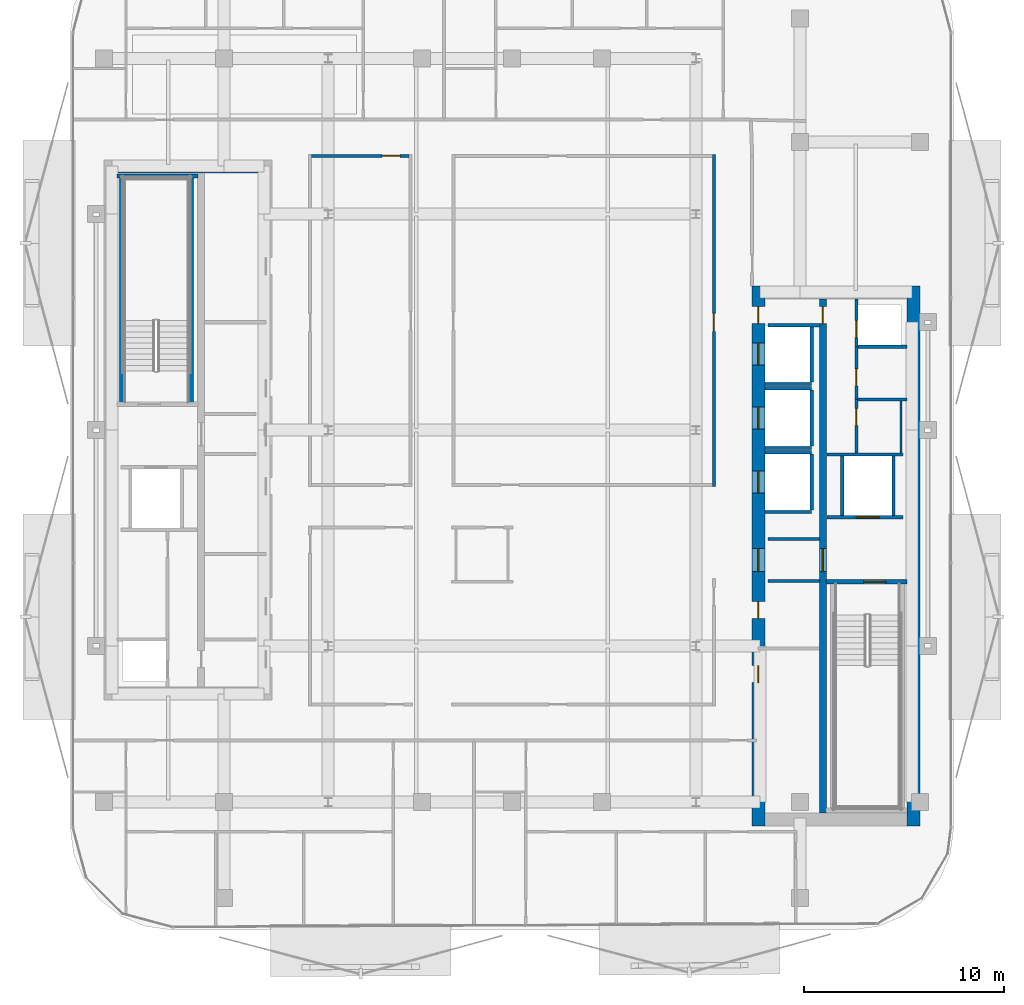
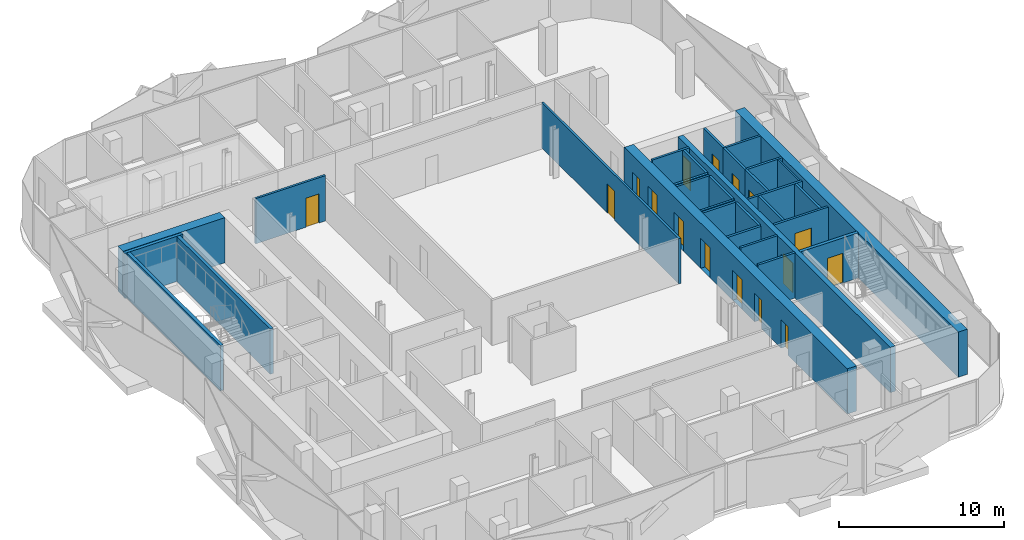
# One storey, part 5 of 15: 31 walls, 16 doors, 16 openings.
"""IFC4 building model written with IfcOpenShell, lengths in metres."""

from ifc_helpers import new_model, si_unit, direction, frame, frame_2d, origin, place, context, subcontext, project, spatial, rectangle, extrude, material, layer, layer_set, type_object, element, fill, save


model = new_model("IFC4")

# Units and contexts
model_context = context("Model", 3, precision=1e-05, world=origin(), true_north=direction((0.0, 1.0)))
body_context = subcontext(model_context, "Body", "Model", "MODEL_VIEW")
ifc_project = project(units=[si_unit("LENGTHUNIT", "METRE"), si_unit("AREAUNIT", "SQUARE_METRE"), si_unit("VOLUMEUNIT", "CUBIC_METRE"), si_unit("PLANEANGLEUNIT", "RADIAN"), si_unit("MASSUNIT", "GRAM", prefix="KILO")], contexts=[model_context])

# Site, building, storey
site_placement = place(None, origin())
site = spatial("IfcSite", under=ifc_project, at=site_placement, CompositionType="ELEMENT")
building_placement = place(site_placement, origin())
building = spatial("IfcBuilding", under=site, at=building_placement, Name="Khairoan Windgate Tower", CompositionType="ELEMENT")
storey_placement = place(building_placement, frame((0.0, 0.0, 226.0)))
storey = spatial("IfcBuildingStorey", under=building, at=storey_placement, Name="L52", CompositionType="ELEMENT", Elevation=226.0)

# Walls
ifc_material_1 = material(Name="Moisture-Resistant Gypsum Partition", Category="gypsum")
ifc_layer_1 = layer(ifc_material_1, 0.10009765625, Name="Moisture-Resistant Gypsum Partition")
ifc_layer_set_1 = layer_set([ifc_layer_1], Name="Moisture-Resistant Gypsum Partition")
wall_type_1 = type_object("IfcWallType", Name="Bathroom Wet-Area Partition Wall", PredefinedType="PARTITIONING", material=ifc_layer_set_1)
wall_1_placement = place(storey_placement, frame((19.449951171875, 1.449951171875, 0.0), z_axis=(0.0, 0.0, 1.0), x_axis=(0.0, -1.0, 0.0)))
element("IfcWall", 1, at=wall_1_placement, inside=storey, type_object=wall_type_1, Name="L52 Wet Room Side Wall 088", PredefinedType="PARTITIONING", context=body_context, shape_type="SweptSolid", body=[
    extrude(rectangle(XDim=2.58984375, YDim=0.10009765625, at=frame_2d((1.294921875, 0.0))), origin(), (0.0, 0.0, 1.0), 3.340087890625),
])
ifc_material_2 = material(Name="Concrete C40/50", Category="concrete")
ifc_layer_2 = layer(ifc_material_2, 0.159912109375, Name="Concrete C40/50")
ifc_layer_set_2 = layer_set([ifc_layer_2], Name="Concrete C40/50")
wall_type_2 = type_object("IfcWallType", Name="Core and Hoistway Enclosure Wall", PredefinedType="STANDARD", material=ifc_layer_set_2)
wall_2_placement = place(storey_placement, frame((12.64990234375, 2.31005859375, 0.0), z_axis=(0.0, 0.0, 1.0), x_axis=(1.0, 0.0, 0.0)))
element("IfcWall", 2, at=wall_2_placement, inside=storey, type_object=wall_type_2, Name="L52 Lift PL7 Hoistway Divider S", PredefinedType="STANDARD", context=body_context, shape_type="SweptSolid", body=[
    extrude(rectangle(XDim=2.340087890625, YDim=0.159912109375, at=frame_2d((1.169921875, 0.0))), origin(), (0.0, 0.0, 1.0), 3.340087890625),
])
wall_3_placement = place(storey_placement, frame((14.989990234375, 2.39990234375, 0.0), z_axis=(0.0, 0.0, 1.0), x_axis=(0.0, 1.0, 0.0)))
element("IfcWall", 3, at=wall_3_placement, inside=storey, type_object=wall_type_2, Name="L52 Lift PL7 Hoistway Back Wall", PredefinedType="STANDARD", context=body_context, shape_type="SweptSolid", body=[
    extrude(rectangle(XDim=2.800048828125, YDim=0.159912109375, at=frame_2d((1.39990234375, 0.0))), origin(), (0.0, 0.0, 1.0), 3.340087890625),
])
for number, where, z_axis, x_axis, name in (
    (4, (12.64990234375, -0.889892578125, 0.0), (0.0, 0.0, 1.0), (1.0, 0.0, 0.0), "L52 Lift PL8 Hoistway Divider S"),
    (5, (12.64990234375, 2.090087890625, 0.0), (0.0, 0.0, 1.0), (1.0, 0.0, 0.0), "L52 Lift PL8 Hoistway Divider N"),
):
    element("IfcWall", number, at=place(storey_placement, frame(where, z_axis=z_axis, x_axis=x_axis)), inside=storey, type_object=wall_type_2, Name=name, PredefinedType="STANDARD", context=body_context, shape_type="SweptSolid", body=[
        extrude(rectangle(XDim=2.340087890625, YDim=0.159912109375, at=frame_2d((1.169921875, 0.0))), origin(), (0.0, 0.0, 1.0), 3.340087890625),
    ])
wall_4_placement = place(storey_placement, frame((14.989990234375, -0.800048828125, 0.0), z_axis=(0.0, 0.0, 1.0), x_axis=(0.0, 1.0, 0.0)))
element("IfcWall", 6, at=wall_4_placement, inside=storey, type_object=wall_type_2, Name="L52 Lift PL8 Hoistway Back Wall", PredefinedType="STANDARD", context=body_context, shape_type="SweptSolid", body=[
    extrude(rectangle(XDim=2.800048828125, YDim=0.159912109375, at=frame_2d((1.39990234375, 0.0))), origin(), (0.0, 0.0, 1.0), 3.340087890625),
])
for number, where, z_axis, x_axis, name in (
    (7, (12.64990234375, -4.090087890625, 0.0), (0.0, 0.0, 1.0), (1.0, 0.0, 0.0), "L52 Lift PL9 Hoistway Divider S"),
    (8, (12.64990234375, -1.110107421875, 0.0), (0.0, 0.0, 1.0), (1.0, 0.0, 0.0), "L52 Lift PL9 Hoistway Divider N"),
):
    element("IfcWall", number, at=place(storey_placement, frame(where, z_axis=z_axis, x_axis=x_axis)), inside=storey, type_object=wall_type_2, Name=name, PredefinedType="STANDARD", context=body_context, shape_type="SweptSolid", body=[
        extrude(rectangle(XDim=2.340087890625, YDim=0.159912109375, at=frame_2d((1.169921875, 0.0))), origin(), (0.0, 0.0, 1.0), 3.340087890625),
    ])
wall_5_placement = place(storey_placement, frame((14.989990234375, -4.0, 0.0), z_axis=(0.0, 0.0, 1.0), x_axis=(0.0, 1.0, 0.0)))
element("IfcWall", 9, at=wall_5_placement, inside=storey, type_object=wall_type_2, Name="L52 Lift PL9 Hoistway Back Wall", PredefinedType="STANDARD", context=body_context, shape_type="SweptSolid", body=[
    extrude(rectangle(XDim=2.800048828125, YDim=0.159912109375, at=frame_2d((1.39990234375, 0.0))), origin(), (0.0, 0.0, 1.0), 3.340087890625),
])

# Wall, opening, door
wall_6_placement = place(storey_placement, frame((15.75, -4.360107421875, 0.0), z_axis=(0.0, 0.0, 1.0), x_axis=(1.0, 0.0, 0.0)))
wall_6 = element("IfcWall", 10, at=wall_6_placement, inside=storey, type_object=wall_type_2, Name="L52 Core Shaft Wall SW-FL1-L52", PredefinedType="STANDARD", context=body_context, shape_type="SweptSolid", body=[
    extrude(rectangle(XDim=3.800048828125, YDim=0.159912109375, at=frame_2d((1.89990234375, 0.0))), origin(), (0.0, 0.0, 1.0), 3.340087890625),
])
opening_1_placement = place(wall_6_placement, frame((1.469970703125, 0.0, 0.0)))
opening_1 = element("IfcOpeningElement", 11, at=opening_1_placement, cuts=wall_6, Name="Opening LD-FL", PredefinedType="OPENING", context=body_context, shape_type="SweptSolid", body=[
    extrude(rectangle(XDim=1.14990234375, YDim=2.199951171875, at=frame_2d((0.574951171875, 1.10009765625))), frame((0.0, 0.08984375, 0.0), z_axis=(0.0, -1.0, 0.0), x_axis=(1.0, 0.0, 0.0)), (0.0, 0.0, 1.0), 0.179931640625),
])
ifc_material_3 = material(Name="Steel S355", Category="steel")
door_type_1 = type_object("IfcDoorType", Name="Firefighting Lift Sliding Landing Door LD-FL 1150x2200", OperationType="DOUBLE_DOOR_SLIDING", PredefinedType="DOOR", material=ifc_material_3)
door_1_placement = place(opening_1_placement, origin())
door_1 = element("IfcDoor", 12, at=door_1_placement, inside=storey, type_object=door_type_1, Name="L52 Firefighting Lift FL1 Landing Door", OperationType="DOUBLE_DOOR_SLIDING", OverallHeight=2.199951171875, OverallWidth=1.14990234375, PredefinedType="DOOR", context=body_context, shape_type="SweptSolid", body=[
    extrude(rectangle(XDim=1.14990234375, YDim=2.199951171875, at=frame_2d((0.574951171875, 1.10009765625))), frame((0.0, 0.02490234375, 0.0), z_axis=(0.0, -1.0, 0.0), x_axis=(1.0, 0.0, 0.0)), (0.0, 0.0, 1.0), 0.050048828125),
])
fill(opening_1, door_1)

# Walls
wall_7_placement = place(storey_placement, frame((15.75, -1.219970703125, 0.0), z_axis=(0.0, 0.0, 1.0), x_axis=(1.0, 0.0, 0.0)))
element("IfcWall", 13, at=wall_7_placement, inside=storey, type_object=wall_type_2, Name="L52 Core Shaft Wall SW-FL1T-L52", PredefinedType="STANDARD", context=body_context, shape_type="SweptSolid", body=[
    extrude(rectangle(XDim=3.800048828125, YDim=0.159912109375, at=frame_2d((1.89990234375, 0.0))), origin(), (0.0, 0.0, 1.0), 3.340087890625),
])
for number, where, z_axis, x_axis, name in (
    (14, (16.52001953125, -4.280029296875, 0.0), (0.0, 0.0, 1.0), (0.0, 1.0, 0.0), "L52 Core Shaft Wall SW-FL1W-L52"),
    (15, (19.080078125, -4.280029296875, 0.0), (0.0, 0.0, 1.0), (0.0, 1.0, 0.0), "L52 Core Shaft Wall SW-FL1E-L52"),
):
    element("IfcWall", number, at=place(storey_placement, frame(where, z_axis=z_axis, x_axis=x_axis)), inside=storey, type_object=wall_type_2, Name=name, PredefinedType="STANDARD", context=body_context, shape_type="SweptSolid", body=[
        extrude(rectangle(XDim=2.97998046875, YDim=0.159912109375, at=frame_2d((1.489990234375, 0.0))), origin(), (0.0, 0.0, 1.0), 3.340087890625),
    ])
for number, where, z_axis, x_axis, name in (
    (16, (12.800048828125, -5.449951171875, 0.0), (0.0, 0.0, 1.0), (1.0, 0.0, 0.0), "L52 Core Shaft Wall SW-EV1-L52"),
    (17, (12.800048828125, -7.5400390625, 0.0), (0.0, 0.0, 1.0), (1.0, 0.0, 0.0), "L52 Core Shaft Wall SW-EV2-L52"),
    (18, (12.800048828125, 5.25, 0.0), (0.0, 0.0, 1.0), (1.0, 0.0, 0.0), "L52 Core Shaft Wall SW-ESV-L52"),
):
    element("IfcWall", number, at=place(storey_placement, frame(where, z_axis=z_axis, x_axis=x_axis)), inside=storey, type_object=wall_type_2, Name=name, PredefinedType="STANDARD", context=body_context, shape_type="SweptSolid", body=[
        extrude(rectangle(XDim=2.599853515625, YDim=0.159912109375, at=frame_2d((1.2998046875, 0.0))), origin(), (0.0, 0.0, 1.0), 3.340087890625),
    ])

# Wall, opening, door
ifc_material_4 = material(Name="Concrete C40/50", Category="concrete")
ifc_layer_3 = layer(ifc_material_4, 0.159912109375, Name="Concrete C40/50")
ifc_layer_set_3 = layer_set([ifc_layer_3], Name="Concrete C40/50")
wall_type_3 = type_object("IfcWallType", Name="Plant and Refuge Compartment Wall", PredefinedType="PARTITIONING", material=ifc_layer_set_3)
wall_8_placement = place(storey_placement, frame((17.22998046875, 4.169921875, 0.0), z_axis=(0.0, 0.0, 1.0), x_axis=(0.0, 1.0, 0.0)))
wall_8 = element("IfcWall", 19, at=wall_8_placement, inside=storey, type_object=wall_type_3, Name="L52 Interior Partition 006", PredefinedType="PARTITIONING", context=body_context, shape_type="SweptSolid", body=[
    extrude(rectangle(XDim=2.380126953125, YDim=0.159912109375, at=frame_2d((1.18994140625, 0.0))), origin(), (0.0, 0.0, 1.0), 3.340087890625),
])
opening_2_placement = place(wall_8_placement, frame((0.4599609375, 0.0, 0.0)))
opening_2 = element("IfcOpeningElement", 20, at=opening_2_placement, cuts=wall_8, Name="Opening FD-SRV", PredefinedType="OPENING", context=body_context, shape_type="SweptSolid", body=[
    extrude(rectangle(XDim=0.85009765625, YDim=2.10009765625, at=frame_2d((0.425048828125, 1.050048828125))), frame((0.0, 0.08984375, 0.0), z_axis=(0.0, -1.0, 0.0), x_axis=(1.0, 0.0, 0.0)), (0.0, 0.0, 1.0), 0.179931640625),
])
ifc_material_5 = material(Name="Steel S355", Category="steel")
door_type_2 = type_object("IfcDoorType", Name="Core Service and Riser Fire Door FD-SRV 850x2100", OperationType="NOTDEFINED", PredefinedType="DOOR", material=ifc_material_5)
door_2_placement = place(opening_2_placement, origin())
door_2 = element("IfcDoor", 21, at=door_2_placement, inside=storey, type_object=door_type_2, Name="L52 L52-16-L52-17 Door", OperationType="SINGLE_SWING_RIGHT", OverallHeight=2.10009765625, OverallWidth=0.85009765625, PredefinedType="DOOR", context=body_context, shape_type="SweptSolid", body=[
    extrude(rectangle(XDim=0.85009765625, YDim=2.10009765625, at=frame_2d((0.425048828125, 1.050048828125))), frame((0.0, 0.02490234375, 0.0), z_axis=(0.0, -1.0, 0.0), x_axis=(1.0, 0.0, 0.0)), (0.0, 0.0, 1.0), 0.050048828125),
])
fill(opening_2, door_2)

wall_9_placement = place(storey_placement, frame((17.22998046875, -1.139892578125, 0.0), z_axis=(0.0, 0.0, 1.0), x_axis=(0.0, 1.0, 0.0)))
wall_9 = element("IfcWall", 22, at=wall_9_placement, inside=storey, type_object=wall_type_3, Name="L52 Interior Partition 007", PredefinedType="PARTITIONING", context=body_context, shape_type="SweptSolid", body=[
    extrude(rectangle(XDim=2.669921875, YDim=0.159912109375, at=frame_2d((1.3349609375, 0.0))), origin(), (0.0, 0.0, 1.0), 3.340087890625),
])
opening_3_placement = place(wall_9_placement, frame((1.360107421875, 0.0, 0.0)))
opening_3 = element("IfcOpeningElement", 23, at=opening_3_placement, cuts=wall_9, Name="Opening FD-SRV", PredefinedType="OPENING", context=body_context, shape_type="SweptSolid", body=[
    extrude(rectangle(XDim=0.85009765625, YDim=2.10009765625, at=frame_2d((0.425048828125, 1.050048828125))), frame((0.0, 0.08984375, 0.0), z_axis=(0.0, -1.0, 0.0), x_axis=(1.0, 0.0, 0.0)), (0.0, 0.0, 1.0), 0.179931640625),
])
door_3_placement = place(opening_3_placement, origin())
door_3 = element("IfcDoor", 24, at=door_3_placement, inside=storey, type_object=door_type_2, Name="L52 L52-16-L52-18 Door", OperationType="SINGLE_SWING_LEFT", OverallHeight=2.10009765625, OverallWidth=0.85009765625, PredefinedType="DOOR", context=body_context, shape_type="SweptSolid", body=[
    extrude(rectangle(XDim=0.85009765625, YDim=2.10009765625, at=frame_2d((0.425048828125, 1.050048828125))), frame((0.0, 0.02490234375, 0.0), z_axis=(0.0, -1.0, 0.0), x_axis=(1.0, 0.0, 0.0)), (0.0, 0.0, 1.0), 0.050048828125),
])
fill(opening_3, door_3)

wall_10_placement = place(storey_placement, frame((17.22998046875, 1.530029296875, 0.0), z_axis=(0.0, 0.0, 1.0), x_axis=(0.0, 1.0, 0.0)))
wall_10 = element("IfcWall", 25, at=wall_10_placement, inside=storey, type_object=wall_type_3, Name="L52 Interior Partition 008", PredefinedType="PARTITIONING", context=body_context, shape_type="SweptSolid", body=[
    extrude(rectangle(XDim=2.639892578125, YDim=0.159912109375, at=frame_2d((1.31982421875, 0.0))), origin(), (0.0, 0.0, 1.0), 3.340087890625),
])
opening_4_placement = place(wall_10_placement, frame((0.677490234375, 0.0, 0.0)))
opening_4 = element("IfcOpeningElement", 26, at=opening_4_placement, cuts=wall_10, Name="Opening FD-SRV", PredefinedType="OPENING", context=body_context, shape_type="SweptSolid", body=[
    extrude(rectangle(XDim=0.85009765625, YDim=2.10009765625, at=frame_2d((0.425048828125, 1.050048828125))), frame((0.0, 0.08984375, 0.0), z_axis=(0.0, -1.0, 0.0), x_axis=(1.0, 0.0, 0.0)), (0.0, 0.0, 1.0), 0.179931640625),
])
door_4_placement = place(opening_4_placement, origin())
door_4 = element("IfcDoor", 27, at=door_4_placement, inside=storey, type_object=door_type_2, Name="L52 L52-16-L52-19 Door", OperationType="SINGLE_SWING_RIGHT", OverallHeight=2.10009765625, OverallWidth=0.85009765625, PredefinedType="DOOR", context=body_context, shape_type="SweptSolid", body=[
    extrude(rectangle(XDim=0.85009765625, YDim=2.10009765625, at=frame_2d((0.425048828125, 1.050048828125))), frame((0.0, 0.02490234375, 0.0), z_axis=(0.0, -1.0, 0.0), x_axis=(1.0, 0.0, 0.0)), (0.0, 0.0, 1.0), 0.050048828125),
])
fill(opening_4, door_4)

# Walls
for number, where, z_axis, x_axis, name in (
    (28, (17.31005859375, 4.169921875, 0.0), (0.0, 0.0, 1.0), (1.0, 0.0, 0.0), "L52 Interior Partition 009"),
    (29, (17.31005859375, 1.530029296875, 0.0), (0.0, 0.0, 1.0), (1.0, 0.0, 0.0), "L52 Interior Partition 010"),
):
    element("IfcWall", number, at=place(storey_placement, frame(where, z_axis=z_axis, x_axis=x_axis)), inside=storey, type_object=wall_type_3, Name=name, PredefinedType="PARTITIONING", context=body_context, shape_type="SweptSolid", body=[
        extrude(rectangle(XDim=2.43994140625, YDim=0.159912109375, at=frame_2d((1.219970703125, 0.0))), origin(), (0.0, 0.0, 1.0), 3.340087890625),
    ])

# Wall, opening, door
ifc_material_6 = material(Name="Acoustic Fire-Rated Gypsum Partition", Category="gypsum")
ifc_layer_4 = layer(ifc_material_6, 0.14990234375, Name="Acoustic Fire-Rated Gypsum Partition")
ifc_layer_set_4 = layer_set([ifc_layer_4], Name="Acoustic Fire-Rated Gypsum Partition")
wall_type_4 = type_object("IfcWallType", Name="Rated Corridor Partition Wall", PredefinedType="PARTITIONING", material=ifc_layer_set_4)
wall_11_placement = place(storey_placement, frame((10.10009765625, -2.81005859375, 0.0), z_axis=(0.0, 0.0, 1.0), x_axis=(0.0, 1.0, 0.0)))
wall_11 = element("IfcWall", 30, at=wall_11_placement, inside=storey, type_object=wall_type_4, Name="L52 Interior Partition 015", PredefinedType="PARTITIONING", context=body_context, shape_type="SweptSolid", body=[
    extrude(rectangle(XDim=16.60498046875, YDim=0.14990234375, at=frame_2d((8.302490234375, 0.0))), origin(), (0.0, 0.0, 1.0), 3.340087890625),
])
opening_5_placement = place(wall_11_placement, frame((7.751220703125, 0.0, 0.0)))
opening_5 = element("IfcOpeningElement", 31, at=opening_5_placement, cuts=wall_11, Name="Opening FD-ENT", PredefinedType="OPENING", context=body_context, shape_type="SweptSolid", body=[
    extrude(rectangle(XDim=0.89990234375, YDim=2.14990234375, at=frame_2d((0.449951171875, 1.074951171875))), frame((0.0, 0.0849609375, 0.0), z_axis=(0.0, -1.0, 0.0), x_axis=(1.0, 0.0, 0.0)), (0.0, 0.0, 1.0), 0.169921875),
])
ifc_material_7 = material(Name="Timber Fire-Rated Core", Category="wood")
door_type_3 = type_object("IfcDoorType", Name="Unit and Office Fire Entrance Door FD-ENT 900x2150", OperationType="NOTDEFINED", PredefinedType="DOOR", material=ifc_material_7)
door_5_placement = place(opening_5_placement, origin())
door_5 = element("IfcDoor", 32, at=door_5_placement, inside=storey, type_object=door_type_3, Name="L52 L52-28-L52-64 Door", OperationType="SINGLE_SWING_RIGHT", OverallHeight=2.14990234375, OverallWidth=0.89990234375, PredefinedType="DOOR", context=body_context, shape_type="SweptSolid", body=[
    extrude(rectangle(XDim=0.89990234375, YDim=2.14990234375, at=frame_2d((0.449951171875, 1.074951171875))), frame((0.0, 0.02490234375, 0.0), z_axis=(0.0, -1.0, 0.0), x_axis=(1.0, 0.0, 0.0)), (0.0, 0.0, 1.0), 0.050048828125),
])
fill(opening_5, door_5)

wall_12_placement = place(storey_placement, frame((-10.02490234375, 13.719970703125, 0.0), z_axis=(0.0, 0.0, 1.0), x_axis=(1.0, 0.0, 0.0)))
wall_12 = element("IfcWall", 33, at=wall_12_placement, inside=storey, type_object=wall_type_4, Name="L52 Interior Partition 030", PredefinedType="PARTITIONING", context=body_context, shape_type="SweptSolid", body=[
    extrude(rectangle(XDim=4.885009765625, YDim=0.14990234375, at=frame_2d((2.4423828125, 0.0))), origin(), (0.0, 0.0, 1.0), 3.340087890625),
])
opening_6_placement = place(wall_12_placement, frame((3.52490234375, 0.0, 0.0)))
opening_6 = element("IfcOpeningElement", 34, at=opening_6_placement, cuts=wall_12, Name="Opening FD-ENT", PredefinedType="OPENING", context=body_context, shape_type="SweptSolid", body=[
    extrude(rectangle(XDim=0.89990234375, YDim=2.14990234375, at=frame_2d((0.449951171875, 1.074951171875))), frame((0.0, 0.0849609375, 0.0), z_axis=(0.0, -1.0, 0.0), x_axis=(1.0, 0.0, 0.0)), (0.0, 0.0, 1.0), 0.169921875),
])
door_6_placement = place(opening_6_placement, origin())
door_6 = element("IfcDoor", 35, at=door_6_placement, inside=storey, type_object=door_type_3, Name="L52 L52-31-L52-62 Door", OperationType="SINGLE_SWING_LEFT", OverallHeight=2.14990234375, OverallWidth=0.89990234375, PredefinedType="DOOR", context=body_context, shape_type="SweptSolid", body=[
    extrude(rectangle(XDim=0.89990234375, YDim=2.14990234375, at=frame_2d((0.449951171875, 1.074951171875))), frame((0.0, 0.02490234375, 0.0), z_axis=(0.0, -1.0, 0.0), x_axis=(1.0, 0.0, 0.0)), (0.0, 0.0, 1.0), 0.050048828125),
])
fill(opening_6, door_6)

# Wall, openings, doors
ifc_material_8 = material(Name="Concrete C60/75", Category="concrete")
ifc_layer_5 = layer(ifc_material_8, 0.64990234375, Name="Concrete C60/75")
ifc_layer_set_5 = layer_set([ifc_layer_5], Name="Concrete C60/75")
wall_type_5 = type_object("IfcWallType", Name="Shear Wall CW-E2 650mm", PredefinedType="SHEAR", material=ifc_layer_set_5)
wall_13_placement = place(storey_placement, frame((12.324951171875, -19.800048828125, 0.0), z_axis=(0.0, 0.0, 1.0), x_axis=(0.0, 1.0, 0.0)))
wall_13 = element("IfcWall", 36, at=wall_13_placement, inside=storey, type_object=wall_type_5, Name="E Core West Shear Wall L52", PredefinedType="SHEAR", context=body_context, shape_type="SweptSolid", body=[
    extrude(rectangle(XDim=27.0, YDim=0.64990234375, at=frame_2d((13.5, 0.0))), origin(), (0.0, 0.0, 1.0), 3.340087890625),
])
opening_7_placement = place(wall_13_placement, frame((23.050048828125, 0.0, 0.0)))
opening_7 = element("IfcOpeningElement", 37, at=opening_7_placement, cuts=wall_13, Name="Opening LD-PL", PredefinedType="OPENING", context=body_context, shape_type="SweptSolid", body=[
    extrude(rectangle(XDim=1.10009765625, YDim=2.199951171875, at=frame_2d((0.550048828125, 1.10009765625))), frame((0.0, 0.3349609375, 0.0), z_axis=(0.0, -1.0, 0.0), x_axis=(1.0, 0.0, 0.0)), (0.0, 0.0, 1.0), 0.669921875),
])
opening_8_placement = place(wall_13_placement, frame((19.85009765625, 0.0, 0.0)))
opening_8 = element("IfcOpeningElement", 38, at=opening_8_placement, cuts=wall_13, Name="Opening LD-PL", PredefinedType="OPENING", context=body_context, shape_type="SweptSolid", body=[
    extrude(rectangle(XDim=1.10009765625, YDim=2.199951171875, at=frame_2d((0.550048828125, 1.10009765625))), frame((0.0, 0.3349609375, 0.0), z_axis=(0.0, -1.0, 0.0), x_axis=(1.0, 0.0, 0.0)), (0.0, 0.0, 1.0), 0.669921875),
])
opening_9_placement = place(wall_13_placement, frame((16.64990234375, 0.0, 0.0)))
opening_9 = element("IfcOpeningElement", 39, at=opening_9_placement, cuts=wall_13, Name="Opening LD-PL", PredefinedType="OPENING", context=body_context, shape_type="SweptSolid", body=[
    extrude(rectangle(XDim=1.10009765625, YDim=2.199951171875, at=frame_2d((0.550048828125, 1.10009765625))), frame((0.0, 0.3349609375, 0.0), z_axis=(0.0, -1.0, 0.0), x_axis=(1.0, 0.0, 0.0)), (0.0, 0.0, 1.0), 0.669921875),
])
opening_10_placement = place(wall_13_placement, frame((7.175048828125, 0.0, 0.0)))
opening_10 = element("IfcOpeningElement", 40, at=opening_10_placement, cuts=wall_13, Name="Opening FD-SRV", PredefinedType="OPENING", context=body_context, shape_type="SweptSolid", body=[
    extrude(rectangle(XDim=0.85009765625, YDim=2.10009765625, at=frame_2d((0.425048828125, 1.050048828125))), frame((0.0, 0.3349609375, 0.0), z_axis=(0.0, -1.0, 0.0), x_axis=(1.0, 0.0, 0.0)), (0.0, 0.0, 1.0), 0.669921875),
])
opening_11_placement = place(wall_13_placement, frame((10.375, 0.0, 0.0)))
opening_11 = element("IfcOpeningElement", 41, at=opening_11_placement, cuts=wall_13, Name="Opening FD-SRV", PredefinedType="OPENING", context=body_context, shape_type="SweptSolid", body=[
    extrude(rectangle(XDim=0.85009765625, YDim=2.10009765625, at=frame_2d((0.425048828125, 1.050048828125))), frame((0.0, 0.3349609375, 0.0), z_axis=(0.0, -1.0, 0.0), x_axis=(1.0, 0.0, 0.0)), (0.0, 0.0, 1.0), 0.669921875),
])
opening_12_placement = place(wall_13_placement, frame((12.72509765625, 0.0, 0.0)))
opening_12 = element("IfcOpeningElement", 42, at=opening_12_placement, cuts=wall_13, Name="Opening FD-FFL", PredefinedType="OPENING", context=body_context, shape_type="SweptSolid", body=[
    extrude(rectangle(XDim=1.14990234375, YDim=2.199951171875, at=frame_2d((0.574951171875, 1.10009765625))), frame((0.0, 0.3349609375, 0.0), z_axis=(0.0, -1.0, 0.0), x_axis=(1.0, 0.0, 0.0)), (0.0, 0.0, 1.0), 0.669921875),
])
opening_13_placement = place(wall_13_placement, frame((25.125, 0.0, 0.0)))
opening_13 = element("IfcOpeningElement", 43, at=opening_13_placement, cuts=wall_13, Name="Opening FD-SRV", PredefinedType="OPENING", context=body_context, shape_type="SweptSolid", body=[
    extrude(rectangle(XDim=0.85009765625, YDim=2.10009765625, at=frame_2d((0.425048828125, 1.050048828125))), frame((0.0, 0.3349609375, 0.0), z_axis=(0.0, -1.0, 0.0), x_axis=(1.0, 0.0, 0.0)), (0.0, 0.0, 1.0), 0.669921875),
])
door_7_placement = place(opening_10_placement, origin())
door_7 = element("IfcDoor", 44, at=door_7_placement, inside=storey, type_object=door_type_2, Name="L52 East Core Service Room Door 1", OperationType="SINGLE_SWING_RIGHT", OverallHeight=2.10009765625, OverallWidth=0.85009765625, PredefinedType="DOOR", context=body_context, shape_type="SweptSolid", body=[
    extrude(rectangle(XDim=0.85009765625, YDim=2.10009765625, at=frame_2d((0.425048828125, 1.050048828125))), frame((0.0, 0.02490234375, 0.0), z_axis=(0.0, -1.0, 0.0), x_axis=(1.0, 0.0, 0.0)), (0.0, 0.0, 1.0), 0.050048828125),
])
fill(opening_10, door_7)
door_8_placement = place(opening_11_placement, origin())
door_8 = element("IfcDoor", 45, at=door_8_placement, inside=storey, type_object=door_type_2, Name="L52 East Core Service Room Door 2", OperationType="SINGLE_SWING_LEFT", OverallHeight=2.10009765625, OverallWidth=0.85009765625, PredefinedType="DOOR", context=body_context, shape_type="SweptSolid", body=[
    extrude(rectangle(XDim=0.85009765625, YDim=2.10009765625, at=frame_2d((0.425048828125, 1.050048828125))), frame((0.0, 0.02490234375, 0.0), z_axis=(0.0, -1.0, 0.0), x_axis=(1.0, 0.0, 0.0)), (0.0, 0.0, 1.0), 0.050048828125),
])
fill(opening_11, door_8)
door_9_placement = place(opening_13_placement, origin())
door_9 = element("IfcDoor", 46, at=door_9_placement, inside=storey, type_object=door_type_2, Name="L52 East Core Service Vestibule Outer Door", OperationType="SINGLE_SWING_RIGHT", OverallHeight=2.10009765625, OverallWidth=0.85009765625, PredefinedType="DOOR", context=body_context, shape_type="SweptSolid", body=[
    extrude(rectangle(XDim=0.85009765625, YDim=2.10009765625, at=frame_2d((0.425048828125, 1.050048828125))), frame((0.0, 0.02490234375, 0.0), z_axis=(0.0, -1.0, 0.0), x_axis=(1.0, 0.0, 0.0)), (0.0, 0.0, 1.0), 0.050048828125),
])
fill(opening_13, door_9)
ifc_material_9 = material(Name="Steel S355", Category="steel")
door_type_4 = type_object("IfcDoorType", Name="Firefighting Lobby Fire Door FD-FFL 1150x2200", OperationType="NOTDEFINED", PredefinedType="DOOR", material=ifc_material_9)
door_10_placement = place(opening_12_placement, origin())
door_10 = element("IfcDoor", 47, at=door_10_placement, inside=storey, type_object=door_type_4, Name="L52 East Core Vestibule Entry Door", OperationType="SINGLE_SWING_RIGHT", OverallHeight=2.199951171875, OverallWidth=1.14990234375, PredefinedType="DOOR", context=body_context, shape_type="SweptSolid", body=[
    extrude(rectangle(XDim=1.14990234375, YDim=2.199951171875, at=frame_2d((0.574951171875, 1.10009765625))), frame((0.0, 0.02490234375, 0.0), z_axis=(0.0, -1.0, 0.0), x_axis=(1.0, 0.0, 0.0)), (0.0, 0.0, 1.0), 0.050048828125),
])
fill(opening_12, door_10)
ifc_material_10 = material(Name="Anodised Bronze Aluminium 6063-T6", Category="aluminium")
door_type_5 = type_object("IfcDoorType", Name="Passenger Lift Sliding Landing Door LD-PL 1100x2200", OperationType="DOUBLE_DOOR_SLIDING", PredefinedType="DOOR", material=ifc_material_10)
door_11_placement = place(opening_7_placement, origin())
door_11 = element("IfcDoor", 48, at=door_11_placement, inside=storey, type_object=door_type_5, Name="L52 Lift PL7 Sliding Landing Door", OperationType="DOUBLE_DOOR_SLIDING", OverallHeight=2.199951171875, OverallWidth=1.10009765625, PredefinedType="DOOR", context=body_context, shape_type="SweptSolid", body=[
    extrude(rectangle(XDim=1.10009765625, YDim=2.199951171875, at=frame_2d((0.550048828125, 1.10009765625))), frame((0.0, 0.02490234375, 0.0), z_axis=(0.0, -1.0, 0.0), x_axis=(1.0, 0.0, 0.0)), (0.0, 0.0, 1.0), 0.050048828125),
])
fill(opening_7, door_11)
door_12_placement = place(opening_8_placement, origin())
door_12 = element("IfcDoor", 49, at=door_12_placement, inside=storey, type_object=door_type_5, Name="L52 Lift PL8 Sliding Landing Door", OperationType="DOUBLE_DOOR_SLIDING", OverallHeight=2.199951171875, OverallWidth=1.10009765625, PredefinedType="DOOR", context=body_context, shape_type="SweptSolid", body=[
    extrude(rectangle(XDim=1.10009765625, YDim=2.199951171875, at=frame_2d((0.550048828125, 1.10009765625))), frame((0.0, 0.02490234375, 0.0), z_axis=(0.0, -1.0, 0.0), x_axis=(1.0, 0.0, 0.0)), (0.0, 0.0, 1.0), 0.050048828125),
])
fill(opening_8, door_12)
door_13_placement = place(opening_9_placement, origin())
door_13 = element("IfcDoor", 50, at=door_13_placement, inside=storey, type_object=door_type_5, Name="L52 Lift PL9 Sliding Landing Door", OperationType="DOUBLE_DOOR_SLIDING", OverallHeight=2.199951171875, OverallWidth=1.10009765625, PredefinedType="DOOR", context=body_context, shape_type="SweptSolid", body=[
    extrude(rectangle(XDim=1.10009765625, YDim=2.199951171875, at=frame_2d((0.550048828125, 1.10009765625))), frame((0.0, 0.02490234375, 0.0), z_axis=(0.0, -1.0, 0.0), x_axis=(1.0, 0.0, 0.0)), (0.0, 0.0, 1.0), 0.050048828125),
])
fill(opening_9, door_13)

# Walls
wall_14_placement = place(storey_placement, frame((20.074951171875, -19.800048828125, 0.0), z_axis=(0.0, 0.0, 1.0), x_axis=(0.0, 1.0, 0.0)))
element("IfcWall", 51, at=wall_14_placement, inside=storey, type_object=wall_type_5, Name="E Core East Shear Wall L52", PredefinedType="SHEAR", context=body_context, shape_type="SweptSolid", body=[
    extrude(rectangle(XDim=27.0, YDim=0.64990234375, at=frame_2d((13.5, 0.0))), origin(), (0.0, 0.0, 1.0), 3.340087890625),
])
ifc_material_11 = material(Name="Concrete C60/75", Category="concrete")
ifc_layer_6 = layer(ifc_material_11, 0.64990234375, Name="Concrete C60/75")
ifc_layer_set_6 = layer_set([ifc_layer_6], Name="Concrete C60/75")
wall_type_6 = type_object("IfcWallType", Name="Shear Wall CW-W2 650mm", PredefinedType="SHEAR", material=ifc_layer_set_6)
wall_15_placement = place(storey_placement, frame((-19.75, 13.175048828125, 0.0), z_axis=(0.0, 0.0, 1.0), x_axis=(1.0, 0.0, 0.0)))
element("IfcWall", 52, at=wall_15_placement, inside=storey, type_object=wall_type_6, Name="W Core North Shear Wall L52", PredefinedType="SHEAR", context=body_context, shape_type="SweptSolid", body=[
    extrude(rectangle(XDim=7.10009765625, YDim=0.64990234375, at=frame_2d((3.550048828125, 0.0))), origin(), (0.0, 0.0, 1.0), 3.340087890625),
])

# Wall, openings, doors
ifc_material_12 = material(Name="Concrete C60/75", Category="concrete")
ifc_layer_7 = layer(ifc_material_12, 0.35009765625, Name="Concrete C60/75")
ifc_layer_set_7 = layer_set([ifc_layer_7], Name="Concrete C60/75")
wall_type_7 = type_object("IfcWallType", Name="Shear Wall SW-1 350mm", PredefinedType="SHEAR", material=ifc_layer_set_7)
wall_16_placement = place(storey_placement, frame((15.550048828125, -19.14990234375, 0.0), z_axis=(0.0, 0.0, 1.0), x_axis=(0.0, 1.0, 0.0)))
wall_16 = element("IfcWall", 53, at=wall_16_placement, inside=storey, type_object=wall_type_7, Name="E Core Spine Shear Wall L52", PredefinedType="SHEAR", context=body_context, shape_type="SweptSolid", body=[
    extrude(rectangle(XDim=25.699951171875, YDim=0.35009765625, at=frame_2d((12.85009765625, 0.0))), origin(), (0.0, 0.0, 1.0), 3.340087890625),
])
opening_14_placement = place(wall_16_placement, frame((12.074951171875, 0.0, 0.0)))
opening_14 = element("IfcOpeningElement", 54, at=opening_14_placement, cuts=wall_16, Name="Opening FD-FFL", PredefinedType="OPENING", context=body_context, shape_type="SweptSolid", body=[
    extrude(rectangle(XDim=1.14990234375, YDim=2.199951171875, at=frame_2d((0.574951171875, 1.10009765625))), frame((0.0, 0.18505859375, 0.0), z_axis=(0.0, -1.0, 0.0), x_axis=(1.0, 0.0, 0.0)), (0.0, 0.0, 1.0), 0.3701171875),
])
opening_15_placement = place(wall_16_placement, frame((24.47509765625, 0.0, 0.0)))
opening_15 = element("IfcOpeningElement", 55, at=opening_15_placement, cuts=wall_16, Name="Opening FD-SRV", PredefinedType="OPENING", context=body_context, shape_type="SweptSolid", body=[
    extrude(rectangle(XDim=0.85009765625, YDim=2.10009765625, at=frame_2d((0.425048828125, 1.050048828125))), frame((0.0, 0.18505859375, 0.0), z_axis=(0.0, -1.0, 0.0), x_axis=(1.0, 0.0, 0.0)), (0.0, 0.0, 1.0), 0.3701171875),
])
door_14_placement = place(opening_15_placement, origin())
door_14 = element("IfcDoor", 56, at=door_14_placement, inside=storey, type_object=door_type_2, Name="L52 East Core Service Passage Inner Door", OperationType="SINGLE_SWING_LEFT", OverallHeight=2.10009765625, OverallWidth=0.85009765625, PredefinedType="DOOR", context=body_context, shape_type="SweptSolid", body=[
    extrude(rectangle(XDim=0.85009765625, YDim=2.10009765625, at=frame_2d((0.425048828125, 1.050048828125))), frame((0.0, 0.02490234375, 0.0), z_axis=(0.0, -1.0, 0.0), x_axis=(1.0, 0.0, 0.0)), (0.0, 0.0, 1.0), 0.050048828125),
])
fill(opening_15, door_14)
door_15_placement = place(opening_14_placement, origin())
door_15 = element("IfcDoor", 57, at=door_15_placement, inside=storey, type_object=door_type_4, Name="L52 East Firefighting Lobby Fire Door", OperationType="SINGLE_SWING_LEFT", OverallHeight=2.199951171875, OverallWidth=1.14990234375, PredefinedType="DOOR", context=body_context, shape_type="SweptSolid", body=[
    extrude(rectangle(XDim=1.14990234375, YDim=2.199951171875, at=frame_2d((0.574951171875, 1.10009765625))), frame((0.0, 0.02490234375, 0.0), z_axis=(0.0, -1.0, 0.0), x_axis=(1.0, 0.0, 0.0)), (0.0, 0.0, 1.0), 0.050048828125),
])
fill(opening_14, door_15)

# Wall, opening, door
ifc_material_13 = material(Name="Concrete C50/60", Category="concrete")
ifc_layer_8 = layer(ifc_material_13, 0.219970703125, Name="Concrete C50/60")
ifc_layer_set_8 = layer_set([ifc_layer_8], Name="Concrete C50/60")
wall_type_8 = type_object("IfcWallType", Name="Shear Wall SW-ST 220mm", PredefinedType="SHEAR", material=ifc_layer_set_8)
wall_17_placement = place(storey_placement, frame((19.77001953125, -7.590087890625, 0.0), z_axis=(0.0, 0.0, 1.0), x_axis=(-1.0, 0.0, 0.0)))
wall_17 = element("IfcWall", 58, at=wall_17_placement, inside=storey, type_object=wall_type_8, Name="L52 Stair ST1 North Bearing Wall", PredefinedType="SHEAR", context=body_context, shape_type="SweptSolid", body=[
    extrude(rectangle(XDim=4.06494140625, YDim=0.219970703125, at=frame_2d((2.032470703125, 0.0))), origin(), (0.0, 0.0, 1.0), 3.340087890625),
])
opening_16_placement = place(wall_17_placement, frame((1.080078125, 0.0, 0.0)))
opening_16 = element("IfcOpeningElement", 59, at=opening_16_placement, cuts=wall_17, Name="Opening FD-ST", PredefinedType="OPENING", context=body_context, shape_type="SweptSolid", body=[
    extrude(rectangle(XDim=1.10009765625, YDim=2.199951171875, at=frame_2d((0.550048828125, 1.10009765625))), frame((0.0, 0.119873046875, 0.0), z_axis=(0.0, -1.0, 0.0), x_axis=(1.0, 0.0, 0.0)), (0.0, 0.0, 1.0), 0.239990234375),
])
ifc_material_14 = material(Name="Steel S355", Category="steel")
door_type_6 = type_object("IfcDoorType", Name="Smokeproof Stair Fire Door FD-ST 1100x2200", OperationType="NOTDEFINED", PredefinedType="DOOR", material=ifc_material_14)
door_16_placement = place(opening_16_placement, origin())
door_16 = element("IfcDoor", 60, at=door_16_placement, inside=storey, type_object=door_type_6, Name="L52 Stair ST1 Fire Door", OperationType="SINGLE_SWING_RIGHT", OverallHeight=2.199951171875, OverallWidth=1.10009765625, PredefinedType="DOOR", context=body_context, shape_type="SweptSolid", body=[
    extrude(rectangle(XDim=1.10009765625, YDim=2.199951171875, at=frame_2d((0.550048828125, 1.10009765625))), frame((0.0, 0.02490234375, 0.0), z_axis=(0.0, -1.0, 0.0), x_axis=(1.0, 0.0, 0.0)), (0.0, 0.0, 1.0), 0.050048828125),
])
fill(opening_16, door_16)

# Walls
for number, where, z_axis, x_axis, name in (
    (61, (-16.0400390625, 1.2900390625, 0.0), (0.0, 0.0, 1.0), (0.0, 1.0, 0.0), "L52 Stair ST2 East Bearing Wall"),
    (62, (-19.530029296875, 1.2900390625, 0.0), (0.0, 0.0, 1.0), (0.0, 1.0, 0.0), "L52 Stair ST2 West Bearing Wall"),
):
    element("IfcWall", number, at=place(storey_placement, frame(where, z_axis=z_axis, x_axis=x_axis)), inside=storey, type_object=wall_type_8, Name=name, PredefinedType="SHEAR", context=body_context, shape_type="SweptSolid", body=[
        extrude(rectangle(XDim=11.419921875, YDim=0.219970703125, at=frame_2d((5.7099609375, 0.0))), origin(), (0.0, 0.0, 1.0), 3.340087890625),
    ])
wall_18_placement = place(storey_placement, frame((-19.77001953125, 12.7099609375, 0.0), z_axis=(0.0, 0.0, 1.0), x_axis=(1.0, 0.0, 0.0)))
element("IfcWall", 63, at=wall_18_placement, inside=storey, type_object=wall_type_8, Name="L52 Stair ST2 North Bearing Wall", PredefinedType="SHEAR", context=body_context, shape_type="SweptSolid", body=[
    extrude(rectangle(XDim=4.06494140625, YDim=0.219970703125, at=frame_2d((2.032470703125, 0.0))), origin(), (0.0, 0.0, 1.0), 3.340087890625),
])

save(model, "model.ifc")
